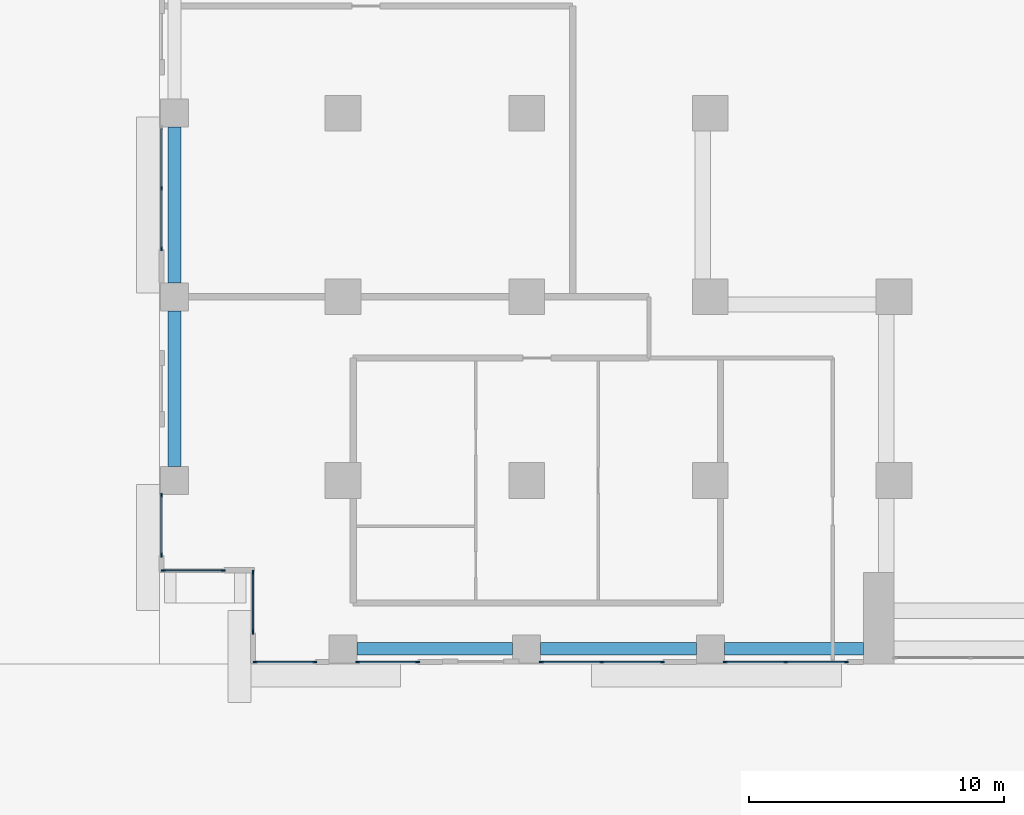
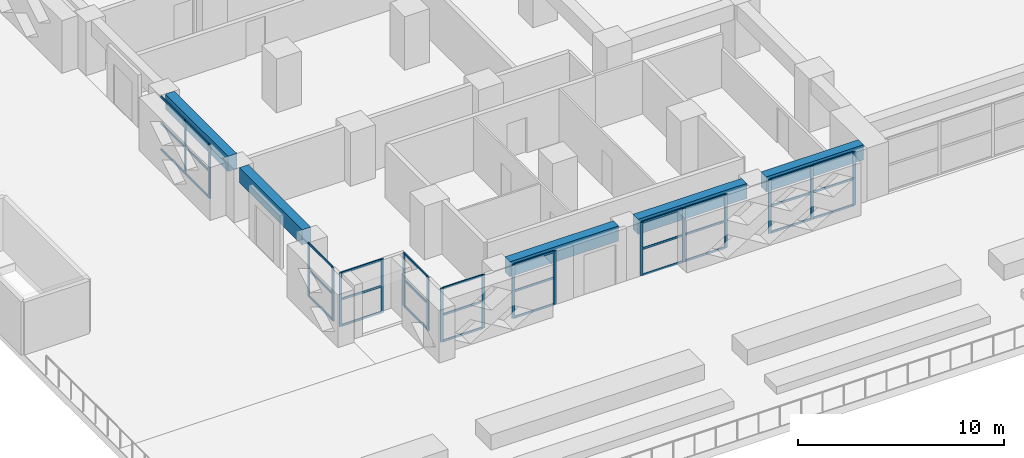
# One storey, part 2 of 24: 51 members, 5 beams, 8 elements without a shape of their own.
"""IFC4 building model written with IfcOpenShell, lengths in metres."""

from ifc_helpers import new_model, si_unit, direction, frame, origin, origin_2d, place, context, subcontext, project, spatial, rectangle, extrude, source, transform, mapped, material, layer, layer_set, material_profile, profile_set, type_object, element, aggregate, save


model = new_model("IFC4")

# Units and contexts
model_context = context("Model", 3, precision=1e-05, world=origin(), true_north=direction((0.0, 1.0)))
body_context = subcontext(model_context, "Body", "Model", "MODEL_VIEW")
ifc_project = project(units=[si_unit("LENGTHUNIT", "METRE"), si_unit("AREAUNIT", "SQUARE_METRE"), si_unit("VOLUMEUNIT", "CUBIC_METRE"), si_unit("PLANEANGLEUNIT", "RADIAN"), si_unit("MASSUNIT", "GRAM", prefix="KILO")], contexts=[model_context])

# Site, building, storey
site_placement = place(None, origin())
site = spatial("IfcSite", under=ifc_project, at=site_placement, CompositionType="ELEMENT")
building_placement = place(site_placement, origin())
building = spatial("IfcBuilding", under=site, at=building_placement, Name="Saffron Iwan Residences", CompositionType="ELEMENT")
storey_placement = place(building_placement, frame((0.0, 0.0, 27.0)))
storey = spatial("IfcBuildingStorey", under=building, at=storey_placement, Name="L05", CompositionType="ELEMENT", Elevation=27.0)

# Beams
ifc_material_1 = material(Name="Concrete C60/75", Category="concrete")
ifc_material_profile_1 = material_profile(ifc_material_1, rectangle(XDim=0.5, YDim=0.89990234375, at=origin_2d()), Name="RC 500x900")
ifc_profile_set_1 = profile_set([ifc_material_profile_1], Name="Concrete C60/75")
beam_type = type_object("IfcBeamType", Name="SPANDREL BEAM RC 500x900 C60/75 TOP 3180", PredefinedType="SPANDREL", material=ifc_profile_set_1)
shared_shape_1 = source(origin(), body_context, "Body", "SweptSolid", [
    extrude(rectangle(XDim=0.5, YDim=0.89990234375, at=origin_2d()), origin(), (0.0, 0.0, 1.0), 6.10009765625),
])
beam_1_placement = place(storey_placement, frame((28.25, 34.199951171875, 2.72998046875), z_axis=(-1.0, 0.0, 0.0), x_axis=(0.0, -1.0, 0.0)))
element("IfcBeam", 1, at=beam_1_placement, inside=storey, type_object=beam_type, Name="Spandrel beam", PredefinedType="SPANDREL", context=body_context, shape_type="MappedRepresentation", body=[
    mapped(shared_shape_1, transform((0.0, 0.0, 0.0))),
])
shared_shape_2 = source(origin(), body_context, "Body", "SweptSolid", [
    extrude(rectangle(XDim=0.5, YDim=0.89990234375, at=origin_2d()), origin(), (0.0, 0.0, 1.0), 6.099853515625),
])
for number, where, z_axis, x_axis, name in (
    (2, (35.449951171875, 34.199951171875, 2.72998046875), (-1.0, 0.0, 0.0), (0.0, -1.0, 0.0), "Spandrel beam"),
    (3, (15.0, 41.35009765625, 2.72998046875), (0.0, 1.0, 0.0), (-1.0, 0.0, 0.0), "Spandrel beam"),
    (4, (15.0, 48.550048828125, 2.72998046875), (0.0, 1.0, 0.0), (-1.0, 0.0, 0.0), "Spandrel beam"),
):
    element("IfcBeam", number, at=place(storey_placement, frame(where, z_axis=z_axis, x_axis=x_axis)), inside=storey, type_object=beam_type, Name=name, PredefinedType="SPANDREL", context=body_context, shape_type="MappedRepresentation", body=[
        mapped(shared_shape_2, transform((0.0, 0.0, 0.0))),
    ])
shared_shape_3 = source(origin(), body_context, "Body", "SweptSolid", [
    extrude(rectangle(XDim=0.5, YDim=0.89990234375, at=origin_2d()), origin(), (0.0, 0.0, 1.0), 5.449951171875),
])
beam_2_placement = place(storey_placement, frame((42.0, 34.199951171875, 2.72998046875), z_axis=(-1.0, 0.0, 0.0), x_axis=(0.0, -1.0, 0.0)))
element("IfcBeam", 5, at=beam_2_placement, inside=storey, type_object=beam_type, Name="Spandrel beam", PredefinedType="SPANDREL", context=body_context, shape_type="MappedRepresentation", body=[
    mapped(shared_shape_3, transform((0.0, 0.0, 0.0))),
])

# Curtain wall, members
ifc_material_2 = material(Name="Clear glass, laminated double glazed", Category="glass")
ifc_layer = layer(ifc_material_2, 0.14990234375)
ifc_layer_set = layer_set([ifc_layer], Name="Clear glass, laminated double glazed")
curtain_wall_type = type_object("IfcCurtainWallType", Name="CW-D GARDEN FLOOR GLAZING", PredefinedType="NOTDEFINED", material=ifc_layer_set)
curtain_wall_1_placement = place(storey_placement, origin())
curtain_wall_1 = element("IfcCurtainWall", 6, at=curtain_wall_1_placement, inside=storey, type_object=curtain_wall_type, Name="Glazing L05 F8.3", PredefinedType="NOTDEFINED")
ifc_material_3 = material(Name="Aluminium 6063-T6", Category="aluminium")
ifc_material_profile_2 = material_profile(ifc_material_3, rectangle(XDim=0.06005859375, YDim=0.159912109375, at=origin_2d()), Name="CW-D MULLION 60 x 160")
ifc_profile_set_2 = profile_set([ifc_material_profile_2], Name="Aluminium 6063-T6")
member_type_1 = type_object("IfcMemberType", Name="CW-D MULLION 60 x 160", PredefinedType="MULLION", material=ifc_profile_set_2)
shared_shape_4 = source(origin(), body_context, "Body", "SweptSolid", [
    extrude(rectangle(XDim=0.06005859375, YDim=0.159912109375, at=origin_2d()), origin(), (0.0, 0.0, 1.0), 3.179931640625),
])
member_1_placement = place(storey_placement, frame((14.47998046875, 52.25, 0.0), z_axis=(0.0, 0.0, 1.0), x_axis=(1.0, 0.0, 0.0)))
member_1 = element("IfcMember", 7, at=member_1_placement, type_object=member_type_1, Name="CW-D mullion 2", PredefinedType="MULLION", context=body_context, shape_type="MappedRepresentation", body=[
    mapped(shared_shape_4, transform((0.0, 0.0, 0.0))),
])
member_2_placement = place(storey_placement, frame((14.47998046875, 49.8798828125, 0.0), z_axis=(0.0, 0.0, 1.0), x_axis=(1.0, 0.0, 0.0)))
member_2 = element("IfcMember", 8, at=member_2_placement, type_object=member_type_1, Name="CW-D mullion 3", PredefinedType="MULLION", context=body_context, shape_type="MappedRepresentation", body=[
    mapped(shared_shape_4, transform((0.0, 0.0, 0.0))),
])

curtain_wall_2_placement = place(storey_placement, origin())
curtain_wall_2 = element("IfcCurtainWall", 9, at=curtain_wall_2_placement, inside=storey, type_object=curtain_wall_type, Name="Glazing L05 F8.6", PredefinedType="NOTDEFINED")
member_3_placement = place(storey_placement, frame((14.47998046875, 40.219970703125, 0.0), z_axis=(0.0, 0.0, 1.0), x_axis=(1.0, 0.0, 0.0)))
member_3 = element("IfcMember", 10, at=member_3_placement, type_object=member_type_1, Name="CW-D mullion 1", PredefinedType="MULLION", context=body_context, shape_type="MappedRepresentation", body=[
    mapped(shared_shape_4, transform((0.0, 0.0, 0.0))),
])
member_4_placement = place(storey_placement, frame((14.47998046875, 37.8798828125, 0.0), z_axis=(0.0, 0.0, 1.0), x_axis=(1.0, 0.0, 0.0)))
member_4 = element("IfcMember", 11, at=member_4_placement, type_object=member_type_1, Name="CW-D mullion 2", PredefinedType="MULLION", context=body_context, shape_type="MappedRepresentation", body=[
    mapped(shared_shape_4, transform((0.0, 0.0, 0.0))),
])

curtain_wall_3_placement = place(storey_placement, origin())
curtain_wall_3 = element("IfcCurtainWall", 12, at=curtain_wall_3_placement, inside=storey, type_object=curtain_wall_type, Name="Glazing L05 F9.0", PredefinedType="NOTDEFINED")
member_5_placement = place(storey_placement, frame((14.56005859375, 37.280029296875, 0.0), z_axis=(0.0, 0.0, 1.0), x_axis=(0.0, 1.0, 0.0)))
member_5 = element("IfcMember", 13, at=member_5_placement, type_object=member_type_1, Name="CW-D mullion 1", PredefinedType="MULLION", context=body_context, shape_type="MappedRepresentation", body=[
    mapped(shared_shape_4, transform((0.0, 0.0, 0.0))),
])
member_6_placement = place(storey_placement, frame((16.89990234375, 37.280029296875, 0.0), z_axis=(0.0, 0.0, 1.0), x_axis=(0.0, 1.0, 0.0)))
member_6 = element("IfcMember", 14, at=member_6_placement, type_object=member_type_1, Name="CW-D mullion 2", PredefinedType="MULLION", context=body_context, shape_type="MappedRepresentation", body=[
    mapped(shared_shape_4, transform((0.0, 0.0, 0.0))),
])

curtain_wall_4_placement = place(storey_placement, origin())
curtain_wall_4 = element("IfcCurtainWall", 15, at=curtain_wall_4_placement, inside=storey, type_object=curtain_wall_type, Name="Glazing L05 F10.0", PredefinedType="NOTDEFINED")
member_7_placement = place(storey_placement, frame((18.080078125, 37.199951171875, 0.0), z_axis=(0.0, 0.0, 1.0), x_axis=(1.0, 0.0, 0.0)))
member_7 = element("IfcMember", 16, at=member_7_placement, type_object=member_type_1, Name="CW-D mullion 1", PredefinedType="MULLION", context=body_context, shape_type="MappedRepresentation", body=[
    mapped(shared_shape_4, transform((0.0, 0.0, 0.0))),
])
member_8_placement = place(storey_placement, frame((18.080078125, 34.860107421875, 0.0), z_axis=(0.0, 0.0, 1.0), x_axis=(1.0, 0.0, 0.0)))
member_8 = element("IfcMember", 17, at=member_8_placement, type_object=member_type_1, Name="CW-D mullion 2", PredefinedType="MULLION", context=body_context, shape_type="MappedRepresentation", body=[
    mapped(shared_shape_4, transform((0.0, 0.0, 0.0))),
])

curtain_wall_5_placement = place(storey_placement, origin())
curtain_wall_5 = element("IfcCurtainWall", 18, at=curtain_wall_5_placement, inside=storey, type_object=curtain_wall_type, Name="Glazing L05 F11.0", PredefinedType="NOTDEFINED")
member_9_placement = place(storey_placement, frame((18.159912109375, 33.679931640625, 0.0), z_axis=(0.0, 0.0, 1.0), x_axis=(0.0, 1.0, 0.0)))
member_9 = element("IfcMember", 19, at=member_9_placement, type_object=member_type_1, Name="CW-D mullion 1", PredefinedType="MULLION", context=body_context, shape_type="MappedRepresentation", body=[
    mapped(shared_shape_4, transform((0.0, 0.0, 0.0))),
])
member_10_placement = place(storey_placement, frame((20.5, 33.679931640625, 0.0), z_axis=(0.0, 0.0, 1.0), x_axis=(0.0, 1.0, 0.0)))
member_10 = element("IfcMember", 20, at=member_10_placement, type_object=member_type_1, Name="CW-D mullion 2", PredefinedType="MULLION", context=body_context, shape_type="MappedRepresentation", body=[
    mapped(shared_shape_4, transform((0.0, 0.0, 0.0))),
])

curtain_wall_6_placement = place(storey_placement, origin())
curtain_wall_6 = element("IfcCurtainWall", 21, at=curtain_wall_6_placement, inside=storey, type_object=curtain_wall_type, Name="Glazing L05 F11.1", PredefinedType="NOTDEFINED")
member_11_placement = place(storey_placement, frame((22.179931640625, 33.679931640625, 0.0), z_axis=(0.0, 0.0, 1.0), x_axis=(0.0, 1.0, 0.0)))
member_11 = element("IfcMember", 22, at=member_11_placement, type_object=member_type_1, Name="CW-D mullion 1", PredefinedType="MULLION", context=body_context, shape_type="MappedRepresentation", body=[
    mapped(shared_shape_4, transform((0.0, 0.0, 0.0))),
])
member_12_placement = place(storey_placement, frame((24.52001953125, 33.679931640625, 0.0), z_axis=(0.0, 0.0, 1.0), x_axis=(0.0, 1.0, 0.0)))
member_12 = element("IfcMember", 23, at=member_12_placement, type_object=member_type_1, Name="CW-D mullion 2", PredefinedType="MULLION", context=body_context, shape_type="MappedRepresentation", body=[
    mapped(shared_shape_4, transform((0.0, 0.0, 0.0))),
])

curtain_wall_7_placement = place(storey_placement, origin())
curtain_wall_7 = element("IfcCurtainWall", 24, at=curtain_wall_7_placement, inside=storey, type_object=curtain_wall_type, Name="Glazing L05 F11.2", PredefinedType="NOTDEFINED")
member_13_placement = place(storey_placement, frame((29.3798828125, 33.679931640625, 0.0), z_axis=(0.0, 0.0, 1.0), x_axis=(0.0, 1.0, 0.0)))
member_13 = element("IfcMember", 25, at=member_13_placement, type_object=member_type_1, Name="CW-D mullion 1", PredefinedType="MULLION", context=body_context, shape_type="MappedRepresentation", body=[
    mapped(shared_shape_4, transform((0.0, 0.0, 0.0))),
])
member_14_placement = place(storey_placement, frame((31.75, 33.679931640625, 0.0), z_axis=(0.0, 0.0, 1.0), x_axis=(0.0, 1.0, 0.0)))
member_14 = element("IfcMember", 26, at=member_14_placement, type_object=member_type_1, Name="CW-D mullion 2", PredefinedType="MULLION", context=body_context, shape_type="MappedRepresentation", body=[
    mapped(shared_shape_4, transform((0.0, 0.0, 0.0))),
])
member_15_placement = place(storey_placement, frame((34.1201171875, 33.679931640625, 0.0), z_axis=(0.0, 0.0, 1.0), x_axis=(0.0, 1.0, 0.0)))
member_15 = element("IfcMember", 27, at=member_15_placement, type_object=member_type_1, Name="CW-D mullion 3", PredefinedType="MULLION", context=body_context, shape_type="MappedRepresentation", body=[
    mapped(shared_shape_4, transform((0.0, 0.0, 0.0))),
])

curtain_wall_8_placement = place(storey_placement, origin())
curtain_wall_8 = element("IfcCurtainWall", 28, at=curtain_wall_8_placement, inside=storey, type_object=curtain_wall_type, Name="Glazing L05 F11.3", PredefinedType="NOTDEFINED")
member_16_placement = place(storey_placement, frame((36.580078125, 33.679931640625, 0.0), z_axis=(0.0, 0.0, 1.0), x_axis=(0.0, 1.0, 0.0)))
member_16 = element("IfcMember", 29, at=member_16_placement, type_object=member_type_1, Name="CW-D mullion 1", PredefinedType="MULLION", context=body_context, shape_type="MappedRepresentation", body=[
    mapped(shared_shape_4, transform((0.0, 0.0, 0.0))),
])
member_17_placement = place(storey_placement, frame((38.949951171875, 33.679931640625, 0.0), z_axis=(0.0, 0.0, 1.0), x_axis=(0.0, 1.0, 0.0)))
member_17 = element("IfcMember", 30, at=member_17_placement, type_object=member_type_1, Name="CW-D mullion 2", PredefinedType="MULLION", context=body_context, shape_type="MappedRepresentation", body=[
    mapped(shared_shape_4, transform((0.0, 0.0, 0.0))),
])
member_18_placement = place(storey_placement, frame((41.320068359375, 33.679931640625, 0.0), z_axis=(0.0, 0.0, 1.0), x_axis=(0.0, 1.0, 0.0)))
member_18 = element("IfcMember", 31, at=member_18_placement, type_object=member_type_1, Name="CW-D mullion 3", PredefinedType="MULLION", context=body_context, shape_type="MappedRepresentation", body=[
    mapped(shared_shape_4, transform((0.0, 0.0, 0.0))),
])

# Member
ifc_material_profile_3 = material_profile(ifc_material_3, rectangle(XDim=0.06005859375, YDim=0.1201171875, at=origin_2d()), Name="CW-D TRANSOM 60 x 120")
ifc_profile_set_3 = profile_set([ifc_material_profile_3], Name="Aluminium 6063-T6")
member_type_2 = type_object("IfcMemberType", Name="CW-D TRANSOM 60 x 120", PredefinedType="USERDEFINED", material=ifc_profile_set_3)
shared_shape_5 = source(origin(), body_context, "Body", "SweptSolid", [
    extrude(rectangle(XDim=0.06005859375, YDim=0.1201171875, at=origin_2d()), origin(), (0.0, 0.0, 1.0), 2.280029296875),
])
member_19_placement = place(storey_placement, frame((14.47998046875, 40.18994140625, 0.030029296875), z_axis=(0.0, -1.0, 0.0), x_axis=(1.0, 0.0, 0.0)))
member_19 = element("IfcMember", 32, at=member_19_placement, type_object=member_type_2, Name="CW-D transom 1.1", ObjectType="TRANSOM", PredefinedType="USERDEFINED", context=body_context, shape_type="MappedRepresentation", body=[
    mapped(shared_shape_5, transform((0.0, 0.0, 0.0))),
])

member_20_placement = place(storey_placement, frame((14.47998046875, 40.18994140625, 1.590087890625), z_axis=(0.0, -1.0, 0.0), x_axis=(1.0, 0.0, 0.0)))
member_20 = element("IfcMember", 33, at=member_20_placement, type_object=member_type_2, Name="CW-D transom 1.2", ObjectType="TRANSOM", PredefinedType="USERDEFINED", context=body_context, shape_type="MappedRepresentation", body=[
    mapped(shared_shape_5, transform((0.0, 0.0, 0.0))),
])

member_21_placement = place(storey_placement, frame((14.47998046875, 40.18994140625, 3.14990234375), z_axis=(0.0, -1.0, 0.0), x_axis=(1.0, 0.0, 0.0)))
member_21 = element("IfcMember", 34, at=member_21_placement, type_object=member_type_2, Name="CW-D transom 1.3", ObjectType="TRANSOM", PredefinedType="USERDEFINED", context=body_context, shape_type="MappedRepresentation", body=[
    mapped(shared_shape_5, transform((0.0, 0.0, 0.0))),
])

aggregate(curtain_wall_2, [member_3, member_4, member_19, member_20, member_21])

member_22_placement = place(storey_placement, frame((14.590087890625, 37.280029296875, 0.030029296875), z_axis=(1.0, 0.0, 0.0), x_axis=(0.0, 1.0, 0.0)))
member_22 = element("IfcMember", 35, at=member_22_placement, type_object=member_type_2, Name="CW-D transom 1.1", ObjectType="TRANSOM", PredefinedType="USERDEFINED", context=body_context, shape_type="MappedRepresentation", body=[
    mapped(shared_shape_5, transform((0.0, 0.0, 0.0))),
])

member_23_placement = place(storey_placement, frame((14.590087890625, 37.280029296875, 1.590087890625), z_axis=(1.0, 0.0, 0.0), x_axis=(0.0, 1.0, 0.0)))
member_23 = element("IfcMember", 36, at=member_23_placement, type_object=member_type_2, Name="CW-D transom 1.2", ObjectType="TRANSOM", PredefinedType="USERDEFINED", context=body_context, shape_type="MappedRepresentation", body=[
    mapped(shared_shape_5, transform((0.0, 0.0, 0.0))),
])

member_24_placement = place(storey_placement, frame((14.590087890625, 37.280029296875, 3.14990234375), z_axis=(1.0, 0.0, 0.0), x_axis=(0.0, 1.0, 0.0)))
member_24 = element("IfcMember", 37, at=member_24_placement, type_object=member_type_2, Name="CW-D transom 1.3", ObjectType="TRANSOM", PredefinedType="USERDEFINED", context=body_context, shape_type="MappedRepresentation", body=[
    mapped(shared_shape_5, transform((0.0, 0.0, 0.0))),
])

aggregate(curtain_wall_3, [member_5, member_6, member_22, member_23, member_24])

member_25_placement = place(storey_placement, frame((18.080078125, 37.169921875, 0.030029296875), z_axis=(0.0, -1.0, 0.0), x_axis=(1.0, 0.0, 0.0)))
member_25 = element("IfcMember", 38, at=member_25_placement, type_object=member_type_2, Name="CW-D transom 1.1", ObjectType="TRANSOM", PredefinedType="USERDEFINED", context=body_context, shape_type="MappedRepresentation", body=[
    mapped(shared_shape_5, transform((0.0, 0.0, 0.0))),
])

member_26_placement = place(storey_placement, frame((18.080078125, 37.169921875, 1.590087890625), z_axis=(0.0, -1.0, 0.0), x_axis=(1.0, 0.0, 0.0)))
member_26 = element("IfcMember", 39, at=member_26_placement, type_object=member_type_2, Name="CW-D transom 1.2", ObjectType="TRANSOM", PredefinedType="USERDEFINED", context=body_context, shape_type="MappedRepresentation", body=[
    mapped(shared_shape_5, transform((0.0, 0.0, 0.0))),
])

member_27_placement = place(storey_placement, frame((18.080078125, 37.169921875, 3.14990234375), z_axis=(0.0, -1.0, 0.0), x_axis=(1.0, 0.0, 0.0)))
member_27 = element("IfcMember", 40, at=member_27_placement, type_object=member_type_2, Name="CW-D transom 1.3", ObjectType="TRANSOM", PredefinedType="USERDEFINED", context=body_context, shape_type="MappedRepresentation", body=[
    mapped(shared_shape_5, transform((0.0, 0.0, 0.0))),
])

aggregate(curtain_wall_4, [member_7, member_8, member_25, member_26, member_27])

member_28_placement = place(storey_placement, frame((18.18994140625, 33.679931640625, 0.030029296875), z_axis=(1.0, 0.0, 0.0), x_axis=(0.0, 1.0, 0.0)))
member_28 = element("IfcMember", 41, at=member_28_placement, type_object=member_type_2, Name="CW-D transom 1.1", ObjectType="TRANSOM", PredefinedType="USERDEFINED", context=body_context, shape_type="MappedRepresentation", body=[
    mapped(shared_shape_5, transform((0.0, 0.0, 0.0))),
])

member_29_placement = place(storey_placement, frame((18.18994140625, 33.679931640625, 1.590087890625), z_axis=(1.0, 0.0, 0.0), x_axis=(0.0, 1.0, 0.0)))
member_29 = element("IfcMember", 42, at=member_29_placement, type_object=member_type_2, Name="CW-D transom 1.2", ObjectType="TRANSOM", PredefinedType="USERDEFINED", context=body_context, shape_type="MappedRepresentation", body=[
    mapped(shared_shape_5, transform((0.0, 0.0, 0.0))),
])

member_30_placement = place(storey_placement, frame((18.18994140625, 33.679931640625, 3.14990234375), z_axis=(1.0, 0.0, 0.0), x_axis=(0.0, 1.0, 0.0)))
member_30 = element("IfcMember", 43, at=member_30_placement, type_object=member_type_2, Name="CW-D transom 1.3", ObjectType="TRANSOM", PredefinedType="USERDEFINED", context=body_context, shape_type="MappedRepresentation", body=[
    mapped(shared_shape_5, transform((0.0, 0.0, 0.0))),
])

aggregate(curtain_wall_5, [member_9, member_10, member_28, member_29, member_30])

member_31_placement = place(storey_placement, frame((22.2099609375, 33.679931640625, 0.030029296875), z_axis=(1.0, 0.0, 0.0), x_axis=(0.0, 1.0, 0.0)))
member_31 = element("IfcMember", 44, at=member_31_placement, type_object=member_type_2, Name="CW-D transom 1.1", ObjectType="TRANSOM", PredefinedType="USERDEFINED", context=body_context, shape_type="MappedRepresentation", body=[
    mapped(shared_shape_5, transform((0.0, 0.0, 0.0))),
])

member_32_placement = place(storey_placement, frame((22.2099609375, 33.679931640625, 1.590087890625), z_axis=(1.0, 0.0, 0.0), x_axis=(0.0, 1.0, 0.0)))
member_32 = element("IfcMember", 45, at=member_32_placement, type_object=member_type_2, Name="CW-D transom 1.2", ObjectType="TRANSOM", PredefinedType="USERDEFINED", context=body_context, shape_type="MappedRepresentation", body=[
    mapped(shared_shape_5, transform((0.0, 0.0, 0.0))),
])

member_33_placement = place(storey_placement, frame((22.2099609375, 33.679931640625, 3.14990234375), z_axis=(1.0, 0.0, 0.0), x_axis=(0.0, 1.0, 0.0)))
member_33 = element("IfcMember", 46, at=member_33_placement, type_object=member_type_2, Name="CW-D transom 1.3", ObjectType="TRANSOM", PredefinedType="USERDEFINED", context=body_context, shape_type="MappedRepresentation", body=[
    mapped(shared_shape_5, transform((0.0, 0.0, 0.0))),
])

aggregate(curtain_wall_6, [member_11, member_12, member_31, member_32, member_33])

shared_shape_6 = source(origin(), body_context, "Body", "SweptSolid", [
    extrude(rectangle(XDim=0.06005859375, YDim=0.1201171875, at=origin_2d()), origin(), (0.0, 0.0, 1.0), 2.31005859375),
])
member_34_placement = place(storey_placement, frame((14.47998046875, 54.590087890625, 0.030029296875), z_axis=(0.0, -1.0, 0.0), x_axis=(1.0, 0.0, 0.0)))
member_34 = element("IfcMember", 47, at=member_34_placement, type_object=member_type_2, Name="CW-D transom 1.1", ObjectType="TRANSOM", PredefinedType="USERDEFINED", context=body_context, shape_type="MappedRepresentation", body=[
    mapped(shared_shape_6, transform((0.0, 0.0, 0.0))),
])

member_35_placement = place(storey_placement, frame((14.47998046875, 54.590087890625, 1.590087890625), z_axis=(0.0, -1.0, 0.0), x_axis=(1.0, 0.0, 0.0)))
member_35 = element("IfcMember", 48, at=member_35_placement, type_object=member_type_2, Name="CW-D transom 1.2", ObjectType="TRANSOM", PredefinedType="USERDEFINED", context=body_context, shape_type="MappedRepresentation", body=[
    mapped(shared_shape_6, transform((0.0, 0.0, 0.0))),
])

member_36_placement = place(storey_placement, frame((14.47998046875, 54.590087890625, 3.14990234375), z_axis=(0.0, -1.0, 0.0), x_axis=(1.0, 0.0, 0.0)))
member_36 = element("IfcMember", 49, at=member_36_placement, type_object=member_type_2, Name="CW-D transom 1.3", ObjectType="TRANSOM", PredefinedType="USERDEFINED", context=body_context, shape_type="MappedRepresentation", body=[
    mapped(shared_shape_6, transform((0.0, 0.0, 0.0))),
])

member_37_placement = place(storey_placement, frame((14.47998046875, 52.219970703125, 0.030029296875), z_axis=(0.0, -1.0, 0.0), x_axis=(1.0, 0.0, 0.0)))
member_37 = element("IfcMember", 50, at=member_37_placement, type_object=member_type_2, Name="CW-D transom 2.1", ObjectType="TRANSOM", PredefinedType="USERDEFINED", context=body_context, shape_type="MappedRepresentation", body=[
    mapped(shared_shape_6, transform((0.0, 0.0, 0.0))),
])

member_38_placement = place(storey_placement, frame((14.47998046875, 52.219970703125, 1.590087890625), z_axis=(0.0, -1.0, 0.0), x_axis=(1.0, 0.0, 0.0)))
member_38 = element("IfcMember", 51, at=member_38_placement, type_object=member_type_2, Name="CW-D transom 2.2", ObjectType="TRANSOM", PredefinedType="USERDEFINED", context=body_context, shape_type="MappedRepresentation", body=[
    mapped(shared_shape_6, transform((0.0, 0.0, 0.0))),
])

member_39_placement = place(storey_placement, frame((14.47998046875, 52.219970703125, 3.14990234375), z_axis=(0.0, -1.0, 0.0), x_axis=(1.0, 0.0, 0.0)))
member_39 = element("IfcMember", 52, at=member_39_placement, type_object=member_type_2, Name="CW-D transom 2.3", ObjectType="TRANSOM", PredefinedType="USERDEFINED", context=body_context, shape_type="MappedRepresentation", body=[
    mapped(shared_shape_6, transform((0.0, 0.0, 0.0))),
])

aggregate(curtain_wall_1, [member_1, member_2, member_34, member_35, member_36, member_37, member_38, member_39])

member_40_placement = place(storey_placement, frame((29.409912109375, 33.679931640625, 0.030029296875), z_axis=(1.0, 0.0, 0.0), x_axis=(0.0, 1.0, 0.0)))
member_40 = element("IfcMember", 53, at=member_40_placement, type_object=member_type_2, Name="CW-D transom 1.1", ObjectType="TRANSOM", PredefinedType="USERDEFINED", context=body_context, shape_type="MappedRepresentation", body=[
    mapped(shared_shape_6, transform((0.0, 0.0, 0.0))),
])

member_41_placement = place(storey_placement, frame((29.409912109375, 33.679931640625, 1.590087890625), z_axis=(1.0, 0.0, 0.0), x_axis=(0.0, 1.0, 0.0)))
member_41 = element("IfcMember", 54, at=member_41_placement, type_object=member_type_2, Name="CW-D transom 1.2", ObjectType="TRANSOM", PredefinedType="USERDEFINED", context=body_context, shape_type="MappedRepresentation", body=[
    mapped(shared_shape_6, transform((0.0, 0.0, 0.0))),
])

member_42_placement = place(storey_placement, frame((29.409912109375, 33.679931640625, 3.14990234375), z_axis=(1.0, 0.0, 0.0), x_axis=(0.0, 1.0, 0.0)))
member_42 = element("IfcMember", 55, at=member_42_placement, type_object=member_type_2, Name="CW-D transom 1.3", ObjectType="TRANSOM", PredefinedType="USERDEFINED", context=body_context, shape_type="MappedRepresentation", body=[
    mapped(shared_shape_6, transform((0.0, 0.0, 0.0))),
])

member_43_placement = place(storey_placement, frame((31.780029296875, 33.679931640625, 0.030029296875), z_axis=(1.0, 0.0, 0.0), x_axis=(0.0, 1.0, 0.0)))
member_43 = element("IfcMember", 56, at=member_43_placement, type_object=member_type_2, Name="CW-D transom 2.1", ObjectType="TRANSOM", PredefinedType="USERDEFINED", context=body_context, shape_type="MappedRepresentation", body=[
    mapped(shared_shape_6, transform((0.0, 0.0, 0.0))),
])

member_44_placement = place(storey_placement, frame((31.780029296875, 33.679931640625, 1.590087890625), z_axis=(1.0, 0.0, 0.0), x_axis=(0.0, 1.0, 0.0)))
member_44 = element("IfcMember", 57, at=member_44_placement, type_object=member_type_2, Name="CW-D transom 2.2", ObjectType="TRANSOM", PredefinedType="USERDEFINED", context=body_context, shape_type="MappedRepresentation", body=[
    mapped(shared_shape_6, transform((0.0, 0.0, 0.0))),
])

member_45_placement = place(storey_placement, frame((31.780029296875, 33.679931640625, 3.14990234375), z_axis=(1.0, 0.0, 0.0), x_axis=(0.0, 1.0, 0.0)))
member_45 = element("IfcMember", 58, at=member_45_placement, type_object=member_type_2, Name="CW-D transom 2.3", ObjectType="TRANSOM", PredefinedType="USERDEFINED", context=body_context, shape_type="MappedRepresentation", body=[
    mapped(shared_shape_6, transform((0.0, 0.0, 0.0))),
])

aggregate(curtain_wall_7, [member_13, member_14, member_15, member_40, member_41, member_42, member_43, member_44, member_45])

member_46_placement = place(storey_placement, frame((38.97998046875, 33.679931640625, 0.030029296875), z_axis=(1.0, 0.0, 0.0), x_axis=(0.0, 1.0, 0.0)))
member_46 = element("IfcMember", 59, at=member_46_placement, type_object=member_type_2, Name="CW-D transom 2.1", ObjectType="TRANSOM", PredefinedType="USERDEFINED", context=body_context, shape_type="MappedRepresentation", body=[
    mapped(shared_shape_6, transform((0.0, 0.0, 0.0))),
])

member_47_placement = place(storey_placement, frame((38.97998046875, 33.679931640625, 1.590087890625), z_axis=(1.0, 0.0, 0.0), x_axis=(0.0, 1.0, 0.0)))
member_47 = element("IfcMember", 60, at=member_47_placement, type_object=member_type_2, Name="CW-D transom 2.2", ObjectType="TRANSOM", PredefinedType="USERDEFINED", context=body_context, shape_type="MappedRepresentation", body=[
    mapped(shared_shape_6, transform((0.0, 0.0, 0.0))),
])

member_48_placement = place(storey_placement, frame((38.97998046875, 33.679931640625, 3.14990234375), z_axis=(1.0, 0.0, 0.0), x_axis=(0.0, 1.0, 0.0)))
member_48 = element("IfcMember", 61, at=member_48_placement, type_object=member_type_2, Name="CW-D transom 2.3", ObjectType="TRANSOM", PredefinedType="USERDEFINED", context=body_context, shape_type="MappedRepresentation", body=[
    mapped(shared_shape_6, transform((0.0, 0.0, 0.0))),
])

shared_shape_7 = source(origin(), body_context, "Body", "SweptSolid", [
    extrude(rectangle(XDim=0.06005859375, YDim=0.1201171875, at=origin_2d()), origin(), (0.0, 0.0, 1.0), 2.309814453125),
])
member_49_placement = place(storey_placement, frame((36.610107421875, 33.679931640625, 0.030029296875), z_axis=(1.0, 0.0, 0.0), x_axis=(0.0, 1.0, 0.0)))
member_49 = element("IfcMember", 62, at=member_49_placement, type_object=member_type_2, Name="CW-D transom 1.1", ObjectType="TRANSOM", PredefinedType="USERDEFINED", context=body_context, shape_type="MappedRepresentation", body=[
    mapped(shared_shape_7, transform((0.0, 0.0, 0.0))),
])

member_50_placement = place(storey_placement, frame((36.610107421875, 33.679931640625, 1.590087890625), z_axis=(1.0, 0.0, 0.0), x_axis=(0.0, 1.0, 0.0)))
member_50 = element("IfcMember", 63, at=member_50_placement, type_object=member_type_2, Name="CW-D transom 1.2", ObjectType="TRANSOM", PredefinedType="USERDEFINED", context=body_context, shape_type="MappedRepresentation", body=[
    mapped(shared_shape_7, transform((0.0, 0.0, 0.0))),
])

member_51_placement = place(storey_placement, frame((36.610107421875, 33.679931640625, 3.14990234375), z_axis=(1.0, 0.0, 0.0), x_axis=(0.0, 1.0, 0.0)))
member_51 = element("IfcMember", 64, at=member_51_placement, type_object=member_type_2, Name="CW-D transom 1.3", ObjectType="TRANSOM", PredefinedType="USERDEFINED", context=body_context, shape_type="MappedRepresentation", body=[
    mapped(shared_shape_7, transform((0.0, 0.0, 0.0))),
])

aggregate(curtain_wall_8, [member_16, member_17, member_18, member_49, member_50, member_51, member_46, member_47, member_48])

save(model, "model.ifc")
